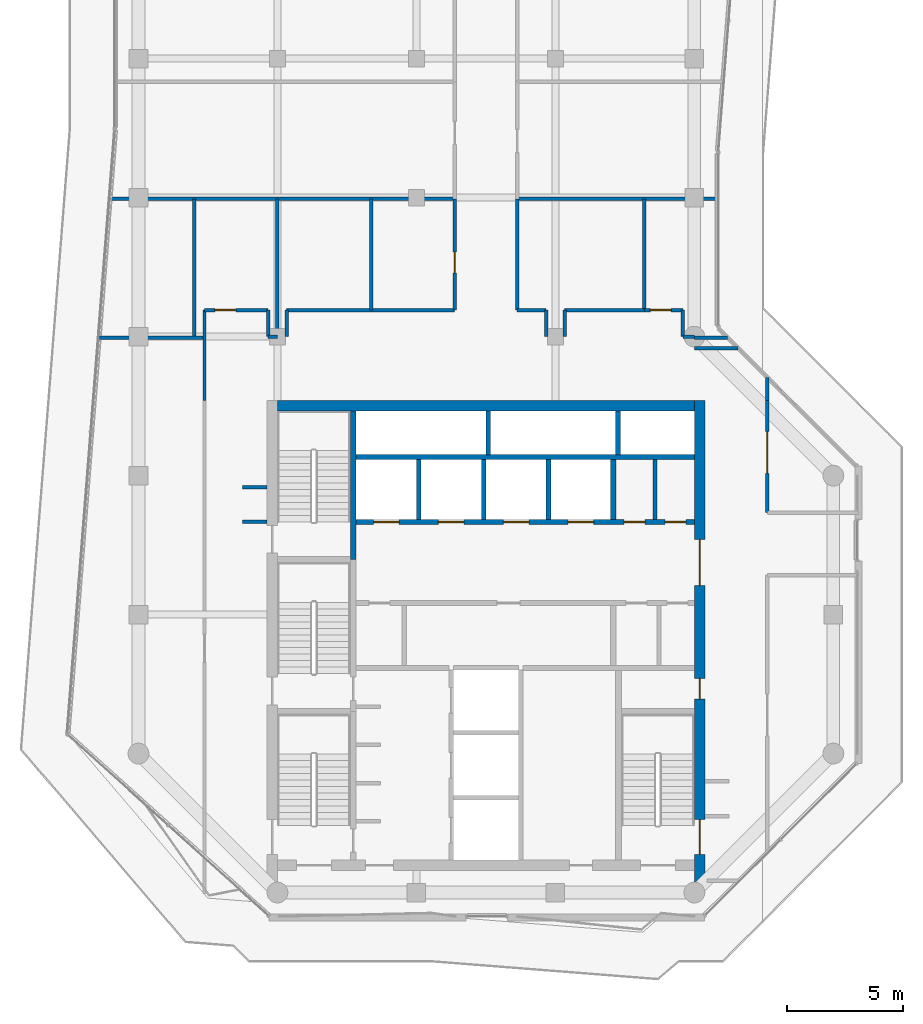
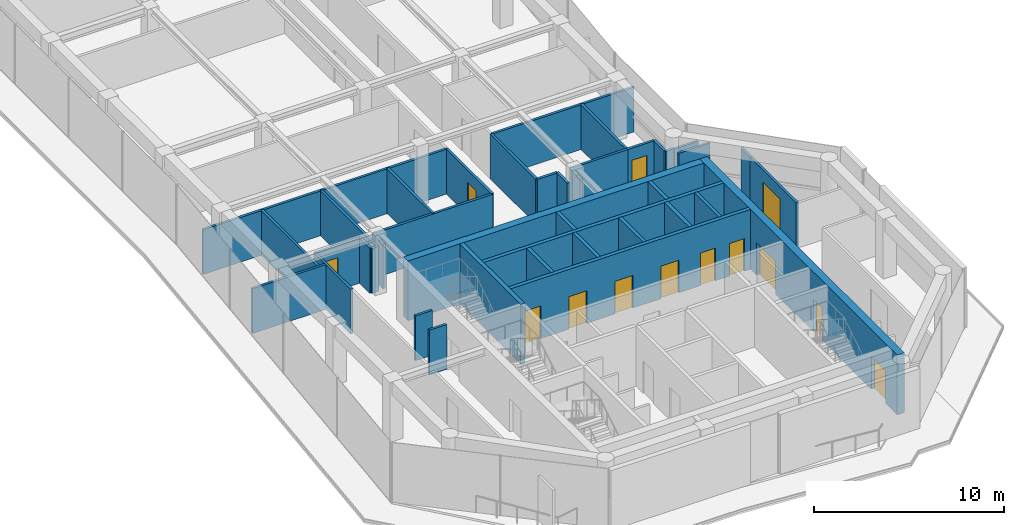
# One storey, part 20 of 23: 40 walls, 13 doors, 13 openings.
"""IFC4 building model written with IfcOpenShell, lengths in metres."""

import ifcopenshell
import ifcopenshell.guid

model = None  # the IFC model being written
_history = None  # IfcOwnerHistory: only IFC2X3 demands one
_inside = {}  # id of a spatial element -> (the spatial element, [elements in it])
_under = {}  # id of a project, library or spatial element -> (it, [spatial elements below it])
_declared = {}  # id of a project -> (the project, [libraries it declares])
_typed = {}  # id of a type object -> (the type object, [elements of that type])
_made_of = {}  # id of a material, layer set ... -> (it, [elements and type objects made of it])


def new_model(schema):
    """Start an empty IFC model of exactly this schema.

    Asked for "IFC4X3", IfcOpenShell would pick the latest addendum, in which some entities
    have other attributes; the version numbers below select the first issue.
    IFC2X3 requires an IfcOwnerHistory on every rooted entity: one is made here for all.
    """
    global model, _history
    if schema == "IFC4X3":
        model = ifcopenshell.file(schema_version=(4, 3, 0, 0))
    else:
        model = ifcopenshell.file(schema=schema)
    _inside.clear()
    _under.clear()
    _declared.clear()
    _typed.clear()
    _made_of.clear()
    _history = None
    if model.schema == "IFC2X3":
        org = make("IfcOrganization", Name="unknown")
        user = make(
            "IfcPersonAndOrganization",
            ThePerson=make("IfcPerson", FamilyName="unknown"),
            TheOrganization=org,
        )
        app = make(
            "IfcApplication",
            ApplicationDeveloper=org,
            Version="unknown",
            ApplicationFullName="unknown",
            ApplicationIdentifier="unknown",
        )
        _history = make(
            "IfcOwnerHistory",
            OwningUser=user,
            OwningApplication=app,
            ChangeAction="ADDED",
            CreationDate=0,
        )
    return model


def make(cls, **values):
    """One entity of the class cls with the attributes given. An attribute that is None is left unset."""
    return model.create_entity(
        cls, **{name: value for name, value in values.items() if value is not None}
    )


def rooted(cls, **values):
    """An entity with a GlobalId (a new one), such as an element, a storey or a relation."""
    return make(cls, GlobalId=ifcopenshell.guid.new(), OwnerHistory=_history, **values)


def si_unit(unit_type, name, prefix=None):
    """IfcSIUnit, for example si_unit("LENGTHUNIT", "METRE", prefix="MILLI")."""
    return make("IfcSIUnit", UnitType=unit_type, Prefix=prefix, Name=name)


def assignment(units):
    """IfcUnitAssignment: the units of a project."""
    return None if units is None else make("IfcUnitAssignment", Units=units)


def point(xyz):
    """IfcCartesianPoint."""
    return None if xyz is None else make("IfcCartesianPoint", Coordinates=xyz)


def direction(xyz):
    """IfcDirection."""
    return None if xyz is None else make("IfcDirection", DirectionRatios=xyz)


def frame(location, z_axis=None, x_axis=None):
    """IfcAxis2Placement3D, a coordinate frame: its origin and axes. An axis left out is left unset."""
    return make(
        "IfcAxis2Placement3D",
        Location=point(location),
        Axis=direction(z_axis),
        RefDirection=direction(x_axis),
    )


def frame_2d(location, x_axis=None):
    """IfcAxis2Placement2D, a coordinate frame in the plane: its origin and x axis."""
    return make(
        "IfcAxis2Placement2D", Location=point(location), RefDirection=direction(x_axis)
    )


def origin():
    """The frame at (0, 0, 0) with its axes left unset."""
    return frame((0.0, 0.0, 0.0))


def place(relative_to, where):
    """IfcLocalPlacement: puts the frame where relative to a parent placement (None: the world)."""
    return make(
        "IfcLocalPlacement", PlacementRelTo=relative_to, RelativePlacement=where
    )


def context(
    kind, dimensions, precision=None, world=None, true_north=None, identifier=None
):
    """IfcGeometricRepresentationContext, for example the 3D "Model" context."""
    return make(
        "IfcGeometricRepresentationContext",
        ContextIdentifier=identifier,
        ContextType=kind,
        CoordinateSpaceDimension=dimensions,
        Precision=precision,
        WorldCoordinateSystem=world,
        TrueNorth=true_north,
    )


def subcontext(parent, identifier, kind, view, scale=None):
    """IfcGeometricRepresentationSubContext, for example "Body" below "Model"."""
    return make(
        "IfcGeometricRepresentationSubContext",
        ContextIdentifier=identifier,
        ContextType=kind,
        ParentContext=parent,
        TargetScale=scale,
        TargetView=view,
    )


def project(units=None, contexts=None):
    """IfcProject with its units and contexts."""
    return rooted(
        "IfcProject",
        Name="project",
        RepresentationContexts=contexts,
        UnitsInContext=assignment(units),
    )


def spatial(cls, under=None, at=None, **own):
    """A site, building, storey or space (cls), placed at a placement, below another one or the project."""
    s = rooted(cls, ObjectPlacement=at, **own)
    if under is not None:
        _under.setdefault(under.id(), (under, []))[1].append(s)
    return s


def profile(cls, at=None, kind="AREA", **sizes):
    """A parametric profile (cls). Its sizes go by their IFC names, for example OverallWidth=200.0."""
    return make(cls, ProfileType=kind, Position=at, **sizes)


def rectangle(**sizes):
    """IfcRectangleProfileDef."""
    return profile("IfcRectangleProfileDef", **sizes)


def extrude(swept, where, along, depth):
    """IfcExtrudedAreaSolid: the profile swept, set in the frame where, extruded along a direction by depth."""
    return make(
        "IfcExtrudedAreaSolid",
        SweptArea=swept,
        Position=where,
        ExtrudedDirection=direction(along),
        Depth=depth,
    )


def shape(context_of_items, identifier, shape_type, items):
    """IfcShapeRepresentation: the items that make up one representation, for example the "Body"."""
    return make(
        "IfcShapeRepresentation",
        ContextOfItems=context_of_items,
        RepresentationIdentifier=identifier,
        RepresentationType=shape_type,
        Items=items,
    )


def material(Name=None, Category=None):
    """IfcMaterial."""
    return make("IfcMaterial", Name=Name, Category=Category)


def layer(
    of_material, thickness, ventilated=None, Name=None, Category=None, Priority=None
):
    """IfcMaterialLayer: one layer of a wall or slab, of a material (None: an air gap)."""
    return make(
        "IfcMaterialLayer",
        Material=of_material,
        LayerThickness=thickness,
        IsVentilated=ventilated,
        Name=Name,
        Category=Category,
        Priority=Priority,
    )


def layer_set(layers, Name=None):
    """IfcMaterialLayerSet."""
    return make("IfcMaterialLayerSet", MaterialLayers=layers, LayerSetName=Name)


def made_of(thing, what):
    """Note that an element or type object is made of a material, layer set ...; save() writes the relation."""
    if what is not None:
        _made_of.setdefault(what.id(), (what, []))[1].append(thing)
    return thing


def type_object(cls, material=None, **own):
    """A type object (cls), such as IfcWallType, which elements share."""
    return made_of(rooted(cls, **own), material)


def element(
    cls,
    number,
    at=None,
    inside=None,
    cuts=None,
    type_object=None,
    material=None,
    context=None,
    identifier="Body",
    shape_type=None,
    held_by="IfcProductDefinitionShape",
    body=None,
    shapes=None,
    **own,
):
    """One element of the class cls, such as IfcWall. Its Tag is "e" and its number.

    at: its placement. inside: the storey or other place that contains it. cuts: it is an
    opening in that element (IfcRelVoidsElement). A single representation is given by context,
    identifier, shape_type and body (its items); several are given by shapes. held_by: the class
    of the entity that holds the representations. save() writes the other relations.
    """
    e = rooted(cls, Tag="e%d" % number, ObjectPlacement=at, **own)
    if body is not None:
        shapes = [shape(context, identifier, shape_type, body)]
    if shapes is not None:
        e.Representation = make(held_by, Representations=shapes)
    if inside is not None:
        _inside.setdefault(inside.id(), (inside, []))[1].append(e)
    if cuts is not None:
        rooted(
            "IfcRelVoidsElement", RelatingBuildingElement=cuts, RelatedOpeningElement=e
        )
    if type_object is not None:
        _typed.setdefault(type_object.id(), (type_object, []))[1].append(e)
    return made_of(e, material)


def fill(opening, filler):
    """IfcRelFillsElement: the door or window that sits in an opening."""
    return rooted(
        "IfcRelFillsElement",
        RelatingOpeningElement=opening,
        RelatedBuildingElement=filler,
    )


def aggregate(whole, parts):
    """IfcRelAggregates: a whole, such as a stair, and the parts it consists of."""
    return rooted("IfcRelAggregates", RelatingObject=whole, RelatedObjects=parts)


def save(model, path):
    """Write the relations noted so far, then the file.

    IfcRelAggregates (storeys below a building ...), IfcRelContainedInSpatialStructure (elements
    in a storey), IfcRelDefinesByType, IfcRelAssociatesMaterial and IfcRelDeclares: one each for
    every whole, place, type object, material and project.
    """
    for whole, parts in _under.values():
        aggregate(whole, parts)
    for where, things in _inside.values():
        rooted(
            "IfcRelContainedInSpatialStructure",
            RelatedElements=things,
            RelatingStructure=where,
        )
    for kind, things in _typed.values():
        rooted("IfcRelDefinesByType", RelatedObjects=things, RelatingType=kind)
    for what, things in _made_of.values():
        rooted("IfcRelAssociatesMaterial", RelatedObjects=things, RelatingMaterial=what)
    for by, libraries in _declared.values():
        rooted("IfcRelDeclares", RelatingContext=by, RelatedDefinitions=libraries)
    model.write(path)


model = new_model("IFC4")

# Units and contexts
model_context = context("Model", 3, precision=1e-05, world=origin(), true_north=direction((0.0, 1.0)))
body_context = subcontext(model_context, "Body", "Model", "MODEL_VIEW")
ifc_project = project(units=[si_unit("LENGTHUNIT", "METRE"), si_unit("AREAUNIT", "SQUARE_METRE"), si_unit("VOLUMEUNIT", "CUBIC_METRE"), si_unit("PLANEANGLEUNIT", "RADIAN"), si_unit("MASSUNIT", "GRAM", prefix="KILO")], contexts=[model_context])

# Site, building, storey
site_placement = place(None, origin())
site = spatial("IfcSite", under=ifc_project, at=site_placement, CompositionType="ELEMENT")
building_placement = place(site_placement, origin())
building = spatial("IfcBuilding", under=site, at=building_placement, Name="Welwitschia Terrace Campus", CompositionType="ELEMENT")
storey_placement = place(building_placement, frame((0.0, 0.0, 247.39990234375)))
storey = spatial("IfcBuildingStorey", under=building, at=storey_placement, Name="L55", CompositionType="ELEMENT", Elevation=247.39990234375)

# Wall
ifc_material_1 = material(Name="Concrete C32/40", Category="concrete")
ifc_layer_1 = layer(ifc_material_1, 0.175048828125)
ifc_layer_set_1 = layer_set([ifc_layer_1], Name="Concrete C32/40")
wall_type_1 = type_object("IfcWallType", Name="Core partition 175 Concrete C32/40", PredefinedType="PARTITIONING", material=ifc_layer_set_1)
wall_1_placement = place(storey_placement, frame((22.300048828125, 20.10009765625, 0.0), z_axis=(0.0, 0.0, 1.0), x_axis=(0.0, 1.0, 0.0)))
element("IfcWall", 1, at=wall_1_placement, inside=storey, type_object=wall_type_1, Name="Core partition", PredefinedType="PARTITIONING", context=body_context, shape_type="SweptSolid", body=[
    extrude(rectangle(XDim=2.599853515625, YDim=0.175048828125, at=frame_2d((1.2998046875, 0.0))), origin(), (0.0, 0.0, 1.0), 3.85009765625),
])

# Wall, openings, doors
ifc_material_2 = material(Name="Concrete C32/40", Category="concrete")
ifc_layer_2 = layer(ifc_material_2, 0.22509765625)
ifc_layer_set_2 = layer_set([ifc_layer_2], Name="Concrete C32/40")
wall_type_2 = type_object("IfcWallType", Name="Core partition 225 Concrete C32/40", PredefinedType="PARTITIONING", material=ifc_layer_set_2)
wall_2_placement = place(storey_placement, frame((24.0, 20.0, 0.0), z_axis=(0.0, 0.0, 1.0), x_axis=(-1.0, 0.0, 0.0)))
wall_2 = element("IfcWall", 2, at=wall_2_placement, inside=storey, type_object=wall_type_2, Name="Shaft wall", PredefinedType="PARTITIONING", context=body_context, shape_type="SweptSolid", body=[
    extrude(rectangle(XDim=14.60009765625, YDim=0.22509765625, at=frame_2d((7.300048828125, 0.0))), origin(), (0.0, 0.0, 1.0), 3.85009765625),
])
opening_1_placement = place(wall_2_placement, frame((12.75, 0.0, 0.0)))
opening_1 = element("IfcOpeningElement", 3, at=opening_1_placement, cuts=wall_2, Name="Opening LD", PredefinedType="OPENING", context=body_context, shape_type="SweptSolid", body=[
    extrude(rectangle(XDim=1.10009765625, YDim=2.10009765625, at=frame_2d((0.550048828125, 1.050048828125))), frame((0.0, 0.12255859375, 0.0), z_axis=(0.0, -1.0, 0.0), x_axis=(1.0, 0.0, 0.0)), (0.0, 0.0, 1.0), 0.2451171875),
])
opening_2_placement = place(wall_2_placement, frame((9.949951171875, 0.0, 0.0)))
opening_2 = element("IfcOpeningElement", 4, at=opening_2_placement, cuts=wall_2, Name="Opening LD", PredefinedType="OPENING", context=body_context, shape_type="SweptSolid", body=[
    extrude(rectangle(XDim=1.10009765625, YDim=2.10009765625, at=frame_2d((0.550048828125, 1.050048828125))), frame((0.0, 0.12255859375, 0.0), z_axis=(0.0, -1.0, 0.0), x_axis=(1.0, 0.0, 0.0)), (0.0, 0.0, 1.0), 0.2451171875),
])
opening_3_placement = place(wall_2_placement, frame((7.14990234375, 0.0, 0.0)))
opening_3 = element("IfcOpeningElement", 5, at=opening_3_placement, cuts=wall_2, Name="Opening LD", PredefinedType="OPENING", context=body_context, shape_type="SweptSolid", body=[
    extrude(rectangle(XDim=1.10009765625, YDim=2.10009765625, at=frame_2d((0.550048828125, 1.050048828125))), frame((0.0, 0.12255859375, 0.0), z_axis=(0.0, -1.0, 0.0), x_axis=(1.0, 0.0, 0.0)), (0.0, 0.0, 1.0), 0.2451171875),
])
opening_4_placement = place(wall_2_placement, frame((4.35009765625, 0.0, 0.0)))
opening_4 = element("IfcOpeningElement", 6, at=opening_4_placement, cuts=wall_2, Name="Opening LD", PredefinedType="OPENING", context=body_context, shape_type="SweptSolid", body=[
    extrude(rectangle(XDim=1.10009765625, YDim=2.10009765625, at=frame_2d((0.550048828125, 1.050048828125))), frame((0.0, 0.12255859375, 0.0), z_axis=(0.0, -1.0, 0.0), x_axis=(1.0, 0.0, 0.0)), (0.0, 0.0, 1.0), 0.2451171875),
])
opening_5_placement = place(wall_2_placement, frame((2.137451171875, 0.0, 0.0)))
opening_5 = element("IfcOpeningElement", 7, at=opening_5_placement, cuts=wall_2, Name="Opening DR09", PredefinedType="OPENING", context=body_context, shape_type="SweptSolid", body=[
    extrude(rectangle(XDim=0.89990234375, YDim=2.10009765625, at=frame_2d((0.449951171875, 1.050048828125))), frame((0.0, 0.12255859375, 0.0), z_axis=(0.0, -1.0, 0.0), x_axis=(1.0, 0.0, 0.0)), (0.0, 0.0, 1.0), 0.2451171875),
])
opening_6_placement = place(wall_2_placement, frame((0.362548828125, 0.0, 0.0)))
opening_6 = element("IfcOpeningElement", 8, at=opening_6_placement, cuts=wall_2, Name="Opening DR09", PredefinedType="OPENING", context=body_context, shape_type="SweptSolid", body=[
    extrude(rectangle(XDim=0.89990234375, YDim=2.10009765625, at=frame_2d((0.449951171875, 1.050048828125))), frame((0.0, 0.12255859375, 0.0), z_axis=(0.0, -1.0, 0.0), x_axis=(1.0, 0.0, 0.0)), (0.0, 0.0, 1.0), 0.2451171875),
])
ifc_material_3 = material(Name="Steel S275", Category="steel")
door_type_1 = type_object("IfcDoorType", Name="Core door DR09", OperationType="SINGLE_SWING_LEFT", PredefinedType="DOOR", material=ifc_material_3)
door_1_placement = place(opening_5_placement, origin())
door_1 = element("IfcDoor", 9, at=door_1_placement, inside=storey, type_object=door_type_1, Name="Door EH1-D", OperationType="SINGLE_SWING_LEFT", OverallHeight=2.10009765625, OverallWidth=0.89990234375, PredefinedType="DOOR", context=body_context, shape_type="SweptSolid", body=[
    extrude(rectangle(XDim=0.89990234375, YDim=2.10009765625, at=frame_2d((0.449951171875, 1.050048828125))), frame((0.0, 0.02490234375, 0.0), z_axis=(0.0, -1.0, 0.0), x_axis=(1.0, 0.0, 0.0)), (0.0, 0.0, 1.0), 0.050048828125),
])
fill(opening_5, door_1)
door_2_placement = place(opening_6_placement, origin())
door_2 = element("IfcDoor", 10, at=door_2_placement, inside=storey, type_object=door_type_1, Name="Door EH2-D", OperationType="SINGLE_SWING_LEFT", OverallHeight=2.10009765625, OverallWidth=0.89990234375, PredefinedType="DOOR", context=body_context, shape_type="SweptSolid", body=[
    extrude(rectangle(XDim=0.89990234375, YDim=2.10009765625, at=frame_2d((0.449951171875, 1.050048828125))), frame((0.0, 0.02490234375, 0.0), z_axis=(0.0, -1.0, 0.0), x_axis=(1.0, 0.0, 0.0)), (0.0, 0.0, 1.0), 0.050048828125),
])
fill(opening_6, door_2)
ifc_material_4 = material(Name="Stainless steel 304", Category="steel")
door_type_2 = type_object("IfcDoorType", Name="Lift landing door", OperationType="DOUBLE_DOOR_SLIDING", PredefinedType="DOOR", material=ifc_material_4)
door_3_placement = place(opening_1_placement, origin())
door_3 = element("IfcDoor", 11, at=door_3_placement, inside=storey, type_object=door_type_2, Name="Landing door HR1", OperationType="DOUBLE_DOOR_SLIDING", OverallHeight=2.10009765625, OverallWidth=1.10009765625, PredefinedType="DOOR", context=body_context, shape_type="SweptSolid", body=[
    extrude(rectangle(XDim=1.10009765625, YDim=2.10009765625, at=frame_2d((0.550048828125, 1.050048828125))), frame((0.0, 0.02490234375, 0.0), z_axis=(0.0, -1.0, 0.0), x_axis=(1.0, 0.0, 0.0)), (0.0, 0.0, 1.0), 0.050048828125),
])
fill(opening_1, door_3)
door_4_placement = place(opening_2_placement, origin())
door_4 = element("IfcDoor", 12, at=door_4_placement, inside=storey, type_object=door_type_2, Name="Landing door HR2", OperationType="DOUBLE_DOOR_SLIDING", OverallHeight=2.10009765625, OverallWidth=1.10009765625, PredefinedType="DOOR", context=body_context, shape_type="SweptSolid", body=[
    extrude(rectangle(XDim=1.10009765625, YDim=2.10009765625, at=frame_2d((0.550048828125, 1.050048828125))), frame((0.0, 0.02490234375, 0.0), z_axis=(0.0, -1.0, 0.0), x_axis=(1.0, 0.0, 0.0)), (0.0, 0.0, 1.0), 0.050048828125),
])
fill(opening_2, door_4)
door_5_placement = place(opening_3_placement, origin())
door_5 = element("IfcDoor", 13, at=door_5_placement, inside=storey, type_object=door_type_2, Name="Landing door HR3", OperationType="DOUBLE_DOOR_SLIDING", OverallHeight=2.10009765625, OverallWidth=1.10009765625, PredefinedType="DOOR", context=body_context, shape_type="SweptSolid", body=[
    extrude(rectangle(XDim=1.10009765625, YDim=2.10009765625, at=frame_2d((0.550048828125, 1.050048828125))), frame((0.0, 0.02490234375, 0.0), z_axis=(0.0, -1.0, 0.0), x_axis=(1.0, 0.0, 0.0)), (0.0, 0.0, 1.0), 0.050048828125),
])
fill(opening_3, door_5)
door_6_placement = place(opening_4_placement, origin())
door_6 = element("IfcDoor", 14, at=door_6_placement, inside=storey, type_object=door_type_2, Name="Landing door HR4", OperationType="DOUBLE_DOOR_SLIDING", OverallHeight=2.10009765625, OverallWidth=1.10009765625, PredefinedType="DOOR", context=body_context, shape_type="SweptSolid", body=[
    extrude(rectangle(XDim=1.10009765625, YDim=2.10009765625, at=frame_2d((0.550048828125, 1.050048828125))), frame((0.0, 0.02490234375, 0.0), z_axis=(0.0, -1.0, 0.0), x_axis=(1.0, 0.0, 0.0)), (0.0, 0.0, 1.0), 0.050048828125),
])
fill(opening_4, door_6)

# Walls
wall_3_placement = place(storey_placement, frame((9.39990234375, 22.800048828125, 0.0), z_axis=(0.0, 0.0, 1.0), x_axis=(1.0, 0.0, 0.0)))
element("IfcWall", 15, at=wall_3_placement, inside=storey, type_object=wall_type_2, Name="Shaft wall", PredefinedType="PARTITIONING", context=body_context, shape_type="SweptSolid", body=[
    extrude(rectangle(XDim=14.60009765625, YDim=0.22509765625, at=frame_2d((7.300048828125, 0.0))), origin(), (0.0, 0.0, 1.0), 3.85009765625),
])
wall_4_placement = place(storey_placement, frame((20.5, 20.10009765625, 0.0), z_axis=(0.0, 0.0, 1.0), x_axis=(0.0, 1.0, 0.0)))
element("IfcWall", 16, at=wall_4_placement, inside=storey, type_object=wall_type_2, Name="Shaft wall", PredefinedType="PARTITIONING", context=body_context, shape_type="SweptSolid", body=[
    extrude(rectangle(XDim=2.599853515625, YDim=0.22509765625, at=frame_2d((1.2998046875, 0.0))), origin(), (0.0, 0.0, 1.0), 3.85009765625),
])
ifc_material_5 = material(Name="Concrete C50/60", Category="concrete")
ifc_layer_3 = layer(ifc_material_5, 0.199951171875)
ifc_layer_set_3 = layer_set([ifc_layer_3], Name="Concrete C50/60")
wall_type_3 = type_object("IfcWallType", Name="Core wall 200 Concrete C50/60", PredefinedType="SHEAR", material=ifc_layer_set_3)
for number, where, z_axis, x_axis, name in (
    (17, (15.10009765625, 22.89990234375, 0.0), (0.0, 0.0, 1.0), (0.0, 1.0, 0.0), "Core wall"),
    (18, (20.699951171875, 22.89990234375, 0.0), (0.0, 0.0, 1.0), (0.0, 1.0, 0.0), "Core wall"),
):
    element("IfcWall", number, at=place(storey_placement, frame(where, z_axis=z_axis, x_axis=x_axis)), inside=storey, type_object=wall_type_3, Name=name, PredefinedType="SHEAR", context=body_context, shape_type="SweptSolid", body=[
        extrude(rectangle(XDim=1.900146484375, YDim=0.199951171875, at=frame_2d((0.9501953125, 0.0))), origin(), (0.0, 0.0, 1.0), 3.85009765625),
    ])
ifc_material_6 = material(Name="Concrete C50/60", Category="concrete")
ifc_layer_4 = layer(ifc_material_6, 0.25)
ifc_layer_set_4 = layer_set([ifc_layer_4], Name="Concrete C50/60")
wall_type_4 = type_object("IfcWallType", Name="Core wall 250 Concrete C50/60", PredefinedType="SHEAR", material=ifc_layer_set_4)
wall_5_placement = place(storey_placement, frame((9.27490234375, 18.375, 0.0), z_axis=(0.0, 0.0, 1.0), x_axis=(0.0, 1.0, 0.0)))
element("IfcWall", 19, at=wall_5_placement, inside=storey, type_object=wall_type_4, Name="Core wall", PredefinedType="SHEAR", context=body_context, shape_type="SweptSolid", body=[
    extrude(rectangle(XDim=6.425048828125, YDim=0.25, at=frame_2d((3.21240234375, 0.0))), origin(), (0.0, 0.0, 1.0), 3.85009765625),
])

# Wall, openings, doors
ifc_material_7 = material(Name="Concrete C60/75", Category="concrete")
ifc_layer_5 = layer(ifc_material_7, 0.449951171875)
ifc_layer_set_5 = layer_set([ifc_layer_5], Name="Concrete C60/75")
wall_type_5 = type_object("IfcWallType", Name="Core wall 450 Concrete C60/75", PredefinedType="SHEAR", material=ifc_layer_set_5)
wall_6_placement = place(storey_placement, frame((24.22509765625, 25.25, 0.0), z_axis=(0.0, 0.0, 1.0), x_axis=(0.0, -1.0, 0.0)))
wall_6 = element("IfcWall", 20, at=wall_6_placement, inside=storey, type_object=wall_type_5, Name="Core outer wall", PredefinedType="SHEAR", context=body_context, shape_type="SweptSolid", body=[
    extrude(rectangle(XDim=20.830078125, YDim=0.449951171875, at=frame_2d((10.4150390625, 0.0))), origin(), (0.0, 0.0, 1.0), 3.85009765625),
])
opening_7_placement = place(wall_6_placement, frame((18.10009765625, 0.0, 0.0)))
opening_7 = element("IfcOpeningElement", 21, at=opening_7_placement, cuts=wall_6, Name="Opening DS15", PredefinedType="OPENING", context=body_context, shape_type="SweptSolid", body=[
    extrude(rectangle(XDim=1.5, YDim=2.10009765625, at=frame_2d((0.75, 1.050048828125))), frame((0.0, 0.23486328125, 0.0), z_axis=(0.0, -1.0, 0.0), x_axis=(1.0, 0.0, 0.0)), (0.0, 0.0, 1.0), 0.469970703125),
])
opening_8_placement = place(wall_6_placement, frame((12.0, 0.0, 0.0)))
opening_8 = element("IfcOpeningElement", 22, at=opening_8_placement, cuts=wall_6, Name="Opening DR09", PredefinedType="OPENING", context=body_context, shape_type="SweptSolid", body=[
    extrude(rectangle(XDim=0.89990234375, YDim=2.10009765625, at=frame_2d((0.449951171875, 1.050048828125))), frame((0.0, 0.23486328125, 0.0), z_axis=(0.0, -1.0, 0.0), x_axis=(1.0, 0.0, 0.0)), (0.0, 0.0, 1.0), 0.469970703125),
])
opening_9_placement = place(wall_6_placement, frame((6.0, 0.0, 0.0)))
opening_9 = element("IfcOpeningElement", 23, at=opening_9_placement, cuts=wall_6, Name="Opening DL20", PredefinedType="OPENING", context=body_context, shape_type="SweptSolid", body=[
    extrude(rectangle(XDim=2.0, YDim=2.10009765625, at=frame_2d((1.0, 1.050048828125))), frame((0.0, 0.23486328125, 0.0), z_axis=(0.0, -1.0, 0.0), x_axis=(1.0, 0.0, 0.0)), (0.0, 0.0, 1.0), 0.469970703125),
])
ifc_material_8 = material(Name="Steel S275", Category="steel")
door_type_3 = type_object("IfcDoorType", Name="Core door DL20", OperationType="DOUBLE_DOOR_SINGLE_SWING", PredefinedType="DOOR", material=ifc_material_8)
door_7_placement = place(opening_9_placement, origin())
door_7 = element("IfcDoor", 24, at=door_7_placement, inside=storey, type_object=door_type_3, Name="Door LOBBY-out", OperationType="DOUBLE_DOOR_SINGLE_SWING", OverallHeight=2.10009765625, OverallWidth=2.0, PredefinedType="DOOR", context=body_context, shape_type="SweptSolid", body=[
    extrude(rectangle(XDim=2.0, YDim=2.10009765625, at=frame_2d((1.0, 1.050048828125))), frame((0.0, 0.02490234375, 0.0), z_axis=(0.0, -1.0, 0.0), x_axis=(1.0, 0.0, 0.0)), (0.0, 0.0, 1.0), 0.050048828125),
])
fill(opening_9, door_7)
door_8_placement = place(opening_8_placement, origin())
door_8 = element("IfcDoor", 25, at=door_8_placement, inside=storey, type_object=door_type_1, Name="Door F1B-out", OperationType="SINGLE_SWING_RIGHT", OverallHeight=2.10009765625, OverallWidth=0.89990234375, PredefinedType="DOOR", context=body_context, shape_type="SweptSolid", body=[
    extrude(rectangle(XDim=0.89990234375, YDim=2.10009765625, at=frame_2d((0.449951171875, 1.050048828125))), frame((0.0, 0.02490234375, 0.0), z_axis=(0.0, -1.0, 0.0), x_axis=(1.0, 0.0, 0.0)), (0.0, 0.0, 1.0), 0.050048828125),
])
fill(opening_8, door_8)
ifc_material_9 = material(Name="Steel S275", Category="steel")
door_type_4 = type_object("IfcDoorType", Name="Core door DS15", OperationType="DOUBLE_DOOR_SINGLE_SWING", PredefinedType="DOOR", material=ifc_material_9)
door_9_placement = place(opening_7_placement, origin())
door_9 = element("IfcDoor", 26, at=door_9_placement, inside=storey, type_object=door_type_4, Name="Door S2-out", OperationType="DOUBLE_DOOR_SINGLE_SWING", OverallHeight=2.10009765625, OverallWidth=1.5, PredefinedType="DOOR", context=body_context, shape_type="SweptSolid", body=[
    extrude(rectangle(XDim=1.5, YDim=2.10009765625, at=frame_2d((0.75, 1.050048828125))), frame((0.0, 0.02490234375, 0.0), z_axis=(0.0, -1.0, 0.0), x_axis=(1.0, 0.0, 0.0)), (0.0, 0.0, 1.0), 0.050048828125),
])
fill(opening_7, door_9)

# Walls
wall_7_placement = place(storey_placement, frame((6.0, 25.02490234375, 0.0), z_axis=(0.0, 0.0, 1.0), x_axis=(1.0, 0.0, 0.0)))
element("IfcWall", 27, at=wall_7_placement, inside=storey, type_object=wall_type_5, Name="Core outer wall", PredefinedType="SHEAR", context=body_context, shape_type="SweptSolid", body=[
    extrude(rectangle(XDim=18.0, YDim=0.449951171875, at=frame_2d((9.0, 0.0))), origin(), (0.0, 0.0, 1.0), 3.85009765625),
])
ifc_material_10 = material(Name="Gypsum board on steel studs", Category="steel")
ifc_layer_6 = layer(ifc_material_10, 0.14990234375)
ifc_layer_set_6 = layer_set([ifc_layer_6], Name="Gypsum board on steel studs")
wall_type_6 = type_object("IfcWallType", Name="Corridor partition 150 EI 30", PredefinedType="PARTITIONING", material=ifc_layer_set_6)
wall_8_placement = place(storey_placement, frame((-1.68994140625, 27.949951171875, 0.0), z_axis=(0.0, 0.0, 1.0), x_axis=(1.0, 0.0, 0.0)))
element("IfcWall", 28, at=wall_8_placement, inside=storey, type_object=wall_type_6, Name="Partition", PredefinedType="PARTITIONING", context=body_context, shape_type="SweptSolid", body=[
    extrude(rectangle(XDim=4.5400390625, YDim=0.14990234375, at=frame_2d((2.27001953125, 0.0))), origin(), (0.0, 0.0, 1.0), 2.880126953125),
])
wall_9_placement = place(storey_placement, frame((-1.219970703125, 33.949951171875, 0.0), z_axis=(0.0, 0.0, 1.0), x_axis=(1.0, 0.0, 0.0)))
element("IfcWall", 29, at=wall_9_placement, inside=storey, type_object=wall_type_6, Name="Partition", PredefinedType="PARTITIONING", context=body_context, shape_type="SweptSolid", body=[
    extrude(rectangle(XDim=14.869873046875, YDim=0.14990234375, at=frame_2d((7.43505859375, 0.0))), origin(), (0.0, 0.0, 1.0), 2.880126953125),
])
wall_10_placement = place(storey_placement, frame((2.39990234375, 27.949951171875, 0.0), z_axis=(0.0, 0.0, 1.0), x_axis=(0.0, 1.0, 0.0)))
element("IfcWall", 30, at=wall_10_placement, inside=storey, type_object=wall_type_6, Name="Partition", PredefinedType="PARTITIONING", context=body_context, shape_type="SweptSolid", body=[
    extrude(rectangle(XDim=6.0, YDim=0.14990234375, at=frame_2d((3.0, 0.0))), origin(), (0.0, 0.0, 1.0), 2.880126953125),
])
wall_11_placement = place(storey_placement, frame((2.85009765625, 25.25, 0.0), z_axis=(0.0, 0.0, 1.0), x_axis=(0.0, 1.0, 0.0)))
element("IfcWall", 31, at=wall_11_placement, inside=storey, type_object=wall_type_6, Name="Partition", PredefinedType="PARTITIONING", context=body_context, shape_type="SweptSolid", body=[
    extrude(rectangle(XDim=3.89990234375, YDim=0.14990234375, at=frame_2d((1.949951171875, 0.0))), origin(), (0.0, 0.0, 1.0), 2.880126953125),
])

# Wall, opening, door
wall_12_placement = place(storey_placement, frame((2.85009765625, 29.14990234375, 0.0), z_axis=(0.0, 0.0, 1.0), x_axis=(1.0, 0.0, 0.0)))
wall_12 = element("IfcWall", 32, at=wall_12_placement, inside=storey, type_object=wall_type_6, Name="Partition", PredefinedType="PARTITIONING", context=body_context, shape_type="SweptSolid", body=[
    extrude(rectangle(XDim=2.75, YDim=0.14990234375, at=frame_2d((1.375, 0.0))), origin(), (0.0, 0.0, 1.0), 2.880126953125),
])
opening_10_placement = place(wall_12_placement, frame((0.449951171875, 0.0, 0.0)))
opening_10 = element("IfcOpeningElement", 33, at=opening_10_placement, cuts=wall_12, Name="Opening DI09", PredefinedType="OPENING", context=body_context, shape_type="SweptSolid", body=[
    extrude(rectangle(XDim=0.89990234375, YDim=2.10009765625, at=frame_2d((0.449951171875, 1.050048828125))), frame((0.0, 0.0849609375, 0.0), z_axis=(0.0, -1.0, 0.0), x_axis=(1.0, 0.0, 0.0)), (0.0, 0.0, 1.0), 0.169921875),
])
ifc_material_11 = material(Name="Timber veneered door", Category="wood")
door_type_5 = type_object("IfcDoorType", Name="Interior door DI09", OperationType="NOTDEFINED", PredefinedType="DOOR", material=ifc_material_11)
door_10_placement = place(opening_10_placement, origin())
door_10 = element("IfcDoor", 34, at=door_10_placement, inside=storey, type_object=door_type_5, Name="Door L55 1003", OperationType="SINGLE_SWING_RIGHT", OverallHeight=2.10009765625, OverallWidth=0.89990234375, PredefinedType="DOOR", context=body_context, shape_type="SweptSolid", body=[
    extrude(rectangle(XDim=0.89990234375, YDim=2.10009765625, at=frame_2d((0.449951171875, 1.050048828125))), frame((0.0, 0.02490234375, 0.0), z_axis=(0.0, -1.0, 0.0), x_axis=(1.0, 0.0, 0.0)), (0.0, 0.0, 1.0), 0.050048828125),
])
fill(opening_10, door_10)

# Walls
for number, where, z_axis, x_axis, name in (
    (35, (4.5, 20.0, 0.0), (0.0, 0.0, 1.0), (1.0, 0.0, 0.0), "Partition"),
    (36, (4.5, 21.5, 0.0), (0.0, 0.0, 1.0), (1.0, 0.0, 0.0), "Partition"),
):
    element("IfcWall", number, at=place(storey_placement, frame(where, z_axis=z_axis, x_axis=x_axis)), inside=storey, type_object=wall_type_6, Name=name, PredefinedType="PARTITIONING", context=body_context, shape_type="SweptSolid", body=[
        extrude(rectangle(XDim=1.050048828125, YDim=0.14990234375, at=frame_2d((0.52490234375, 0.0))), origin(), (0.0, 0.0, 1.0), 2.880126953125),
    ])
wall_13_placement = place(storey_placement, frame((5.60009765625, 28.0, 0.0), z_axis=(0.0, 0.0, 1.0), x_axis=(0.0, 1.0, 0.0)))
element("IfcWall", 37, at=wall_13_placement, inside=storey, type_object=wall_type_6, Name="Partition", PredefinedType="PARTITIONING", context=body_context, shape_type="SweptSolid", body=[
    extrude(rectangle(XDim=1.14990234375, YDim=0.14990234375, at=frame_2d((0.574951171875, 0.0))), origin(), (0.0, 0.0, 1.0), 2.880126953125),
])
wall_14_placement = place(storey_placement, frame((5.60009765625, 28.0, 0.0), z_axis=(0.0, 0.0, 1.0), x_axis=(1.0, 0.0, 0.0)))
element("IfcWall", 38, at=wall_14_placement, inside=storey, type_object=wall_type_6, Name="Partition", PredefinedType="PARTITIONING", context=body_context, shape_type="SweptSolid", body=[
    extrude(rectangle(XDim=0.39990234375, YDim=0.14990234375, at=frame_2d((0.199951171875, 0.0))), origin(), (0.0, 0.0, 1.0), 2.880126953125),
])
wall_15_placement = place(storey_placement, frame((6.0, 28.0, 0.0), z_axis=(0.0, 0.0, 1.0), x_axis=(0.0, 1.0, 0.0)))
element("IfcWall", 39, at=wall_15_placement, inside=storey, type_object=wall_type_6, Name="Partition", PredefinedType="PARTITIONING", context=body_context, shape_type="SweptSolid", body=[
    extrude(rectangle(XDim=5.949951171875, YDim=0.14990234375, at=frame_2d((2.97509765625, 0.0))), origin(), (0.0, 0.0, 1.0), 2.880126953125),
])
wall_16_placement = place(storey_placement, frame((6.39990234375, 28.0, 0.0), z_axis=(0.0, 0.0, 1.0), x_axis=(0.0, 1.0, 0.0)))
element("IfcWall", 40, at=wall_16_placement, inside=storey, type_object=wall_type_6, Name="Partition", PredefinedType="PARTITIONING", context=body_context, shape_type="SweptSolid", body=[
    extrude(rectangle(XDim=1.14990234375, YDim=0.14990234375, at=frame_2d((0.574951171875, 0.0))), origin(), (0.0, 0.0, 1.0), 2.880126953125),
])
wall_17_placement = place(storey_placement, frame((6.39990234375, 29.14990234375, 0.0), z_axis=(0.0, 0.0, 1.0), x_axis=(1.0, 0.0, 0.0)))
element("IfcWall", 41, at=wall_17_placement, inside=storey, type_object=wall_type_6, Name="Partition", PredefinedType="PARTITIONING", context=body_context, shape_type="SweptSolid", body=[
    extrude(rectangle(XDim=7.25, YDim=0.14990234375, at=frame_2d((3.625, 0.0))), origin(), (0.0, 0.0, 1.0), 2.880126953125),
])
wall_18_placement = place(storey_placement, frame((10.050048828125, 29.14990234375, 0.0), z_axis=(0.0, 0.0, 1.0), x_axis=(0.0, 1.0, 0.0)))
element("IfcWall", 42, at=wall_18_placement, inside=storey, type_object=wall_type_6, Name="Partition", PredefinedType="PARTITIONING", context=body_context, shape_type="SweptSolid", body=[
    extrude(rectangle(XDim=4.800048828125, YDim=0.14990234375, at=frame_2d((2.39990234375, 0.0))), origin(), (0.0, 0.0, 1.0), 2.880126953125),
])

# Wall, opening, door
wall_19_placement = place(storey_placement, frame((13.64990234375, 29.14990234375, 0.0), z_axis=(0.0, 0.0, 1.0), x_axis=(0.0, 1.0, 0.0)))
wall_19 = element("IfcWall", 43, at=wall_19_placement, inside=storey, type_object=wall_type_6, Name="Partition", PredefinedType="PARTITIONING", context=body_context, shape_type="SweptSolid", body=[
    extrude(rectangle(XDim=4.800048828125, YDim=0.14990234375, at=frame_2d((2.39990234375, 0.0))), origin(), (0.0, 0.0, 1.0), 2.880126953125),
])
opening_11_placement = place(wall_19_placement, frame((1.60009765625, 0.0, 0.0)))
opening_11 = element("IfcOpeningElement", 44, at=opening_11_placement, cuts=wall_19, Name="Opening DI09", PredefinedType="OPENING", context=body_context, shape_type="SweptSolid", body=[
    extrude(rectangle(XDim=0.89990234375, YDim=2.10009765625, at=frame_2d((0.449951171875, 1.050048828125))), frame((0.0, 0.0849609375, 0.0), z_axis=(0.0, -1.0, 0.0), x_axis=(1.0, 0.0, 0.0)), (0.0, 0.0, 1.0), 0.169921875),
])
door_11_placement = place(opening_11_placement, origin())
door_11 = element("IfcDoor", 45, at=door_11_placement, inside=storey, type_object=door_type_5, Name="Door L55 1004", OperationType="SINGLE_SWING_LEFT", OverallHeight=2.10009765625, OverallWidth=0.89990234375, PredefinedType="DOOR", context=body_context, shape_type="SweptSolid", body=[
    extrude(rectangle(XDim=0.89990234375, YDim=2.10009765625, at=frame_2d((0.449951171875, 1.050048828125))), frame((0.0, 0.02490234375, 0.0), z_axis=(0.0, -1.0, 0.0), x_axis=(1.0, 0.0, 0.0)), (0.0, 0.0, 1.0), 0.050048828125),
])
fill(opening_11, door_11)

# Walls
wall_20_placement = place(storey_placement, frame((16.35009765625, 29.14990234375, 0.0), z_axis=(0.0, 0.0, 1.0), x_axis=(0.0, 1.0, 0.0)))
element("IfcWall", 46, at=wall_20_placement, inside=storey, type_object=wall_type_6, Name="Partition", PredefinedType="PARTITIONING", context=body_context, shape_type="SweptSolid", body=[
    extrude(rectangle(XDim=4.800048828125, YDim=0.14990234375, at=frame_2d((2.39990234375, 0.0))), origin(), (0.0, 0.0, 1.0), 2.880126953125),
])
wall_21_placement = place(storey_placement, frame((16.35009765625, 29.14990234375, 0.0), z_axis=(0.0, 0.0, 1.0), x_axis=(1.0, 0.0, 0.0)))
element("IfcWall", 47, at=wall_21_placement, inside=storey, type_object=wall_type_6, Name="Partition", PredefinedType="PARTITIONING", context=body_context, shape_type="SweptSolid", body=[
    extrude(rectangle(XDim=1.25, YDim=0.14990234375, at=frame_2d((0.625, 0.0))), origin(), (0.0, 0.0, 1.0), 2.880126953125),
])
wall_22_placement = place(storey_placement, frame((16.35009765625, 33.949951171875, 0.0), z_axis=(0.0, 0.0, 1.0), x_axis=(1.0, 0.0, 0.0)))
element("IfcWall", 48, at=wall_22_placement, inside=storey, type_object=wall_type_6, Name="Partition", PredefinedType="PARTITIONING", context=body_context, shape_type="SweptSolid", body=[
    extrude(rectangle(XDim=8.6298828125, YDim=0.14990234375, at=frame_2d((4.31494140625, 0.0))), origin(), (0.0, 0.0, 1.0), 2.880126953125),
])
for number, where, z_axis, x_axis, name in (
    (49, (17.60009765625, 28.0, 0.0), (0.0, 0.0, 1.0), (0.0, 1.0, 0.0), "Partition"),
    (50, (18.39990234375, 28.0, 0.0), (0.0, 0.0, 1.0), (0.0, 1.0, 0.0), "Partition"),
):
    element("IfcWall", number, at=place(storey_placement, frame(where, z_axis=z_axis, x_axis=x_axis)), inside=storey, type_object=wall_type_6, Name=name, PredefinedType="PARTITIONING", context=body_context, shape_type="SweptSolid", body=[
        extrude(rectangle(XDim=1.14990234375, YDim=0.14990234375, at=frame_2d((0.574951171875, 0.0))), origin(), (0.0, 0.0, 1.0), 2.880126953125),
    ])
wall_23_placement = place(storey_placement, frame((18.39990234375, 29.14990234375, 0.0), z_axis=(0.0, 0.0, 1.0), x_axis=(1.0, 0.0, 0.0)))
element("IfcWall", 51, at=wall_23_placement, inside=storey, type_object=wall_type_6, Name="Partition", PredefinedType="PARTITIONING", context=body_context, shape_type="SweptSolid", body=[
    extrude(rectangle(XDim=3.440185546875, YDim=0.14990234375, at=frame_2d((1.72021484375, 0.0))), origin(), (0.0, 0.0, 1.0), 2.880126953125),
])
wall_24_placement = place(storey_placement, frame((21.840087890625, 29.14990234375, 0.0), z_axis=(0.0, 0.0, 1.0), x_axis=(0.0, 1.0, 0.0)))
element("IfcWall", 52, at=wall_24_placement, inside=storey, type_object=wall_type_6, Name="Partition", PredefinedType="PARTITIONING", context=body_context, shape_type="SweptSolid", body=[
    extrude(rectangle(XDim=4.800048828125, YDim=0.14990234375, at=frame_2d((2.39990234375, 0.0))), origin(), (0.0, 0.0, 1.0), 2.880126953125),
])

# Wall, opening, door
wall_25_placement = place(storey_placement, frame((21.840087890625, 29.14990234375, 0.0), z_axis=(0.0, 0.0, 1.0), x_axis=(1.0, 0.0, 0.0)))
wall_25 = element("IfcWall", 53, at=wall_25_placement, inside=storey, type_object=wall_type_6, Name="Partition", PredefinedType="PARTITIONING", context=body_context, shape_type="SweptSolid", body=[
    extrude(rectangle(XDim=1.659912109375, YDim=0.14990234375, at=frame_2d((0.830078125, 0.0))), origin(), (0.0, 0.0, 1.0), 2.880126953125),
])
opening_12_placement = place(wall_25_placement, frame((0.260009765625, 0.0, 0.0)))
opening_12 = element("IfcOpeningElement", 54, at=opening_12_placement, cuts=wall_25, Name="Opening DI09", PredefinedType="OPENING", context=body_context, shape_type="SweptSolid", body=[
    extrude(rectangle(XDim=0.89990234375, YDim=2.10009765625, at=frame_2d((0.449951171875, 1.050048828125))), frame((0.0, 0.0849609375, 0.0), z_axis=(0.0, -1.0, 0.0), x_axis=(1.0, 0.0, 0.0)), (0.0, 0.0, 1.0), 0.169921875),
])
door_12_placement = place(opening_12_placement, origin())
door_12 = element("IfcDoor", 55, at=door_12_placement, inside=storey, type_object=door_type_5, Name="Door L55 1014", OperationType="SINGLE_SWING_LEFT", OverallHeight=2.10009765625, OverallWidth=0.89990234375, PredefinedType="DOOR", context=body_context, shape_type="SweptSolid", body=[
    extrude(rectangle(XDim=0.89990234375, YDim=2.10009765625, at=frame_2d((0.449951171875, 1.050048828125))), frame((0.0, 0.02490234375, 0.0), z_axis=(0.0, -1.0, 0.0), x_axis=(1.0, 0.0, 0.0)), (0.0, 0.0, 1.0), 0.050048828125),
])
fill(opening_12, door_12)

# Walls
wall_26_placement = place(storey_placement, frame((23.5, 28.0, 0.0), z_axis=(0.0, 0.0, 1.0), x_axis=(0.0, 1.0, 0.0)))
element("IfcWall", 56, at=wall_26_placement, inside=storey, type_object=wall_type_6, Name="Partition", PredefinedType="PARTITIONING", context=body_context, shape_type="SweptSolid", body=[
    extrude(rectangle(XDim=1.14990234375, YDim=0.14990234375, at=frame_2d((0.574951171875, 0.0))), origin(), (0.0, 0.0, 1.0), 2.880126953125),
])
wall_27_placement = place(storey_placement, frame((23.5, 28.0, 0.0), z_axis=(0.0, 0.0, 1.0), x_axis=(1.0, 0.0, 0.0)))
element("IfcWall", 57, at=wall_27_placement, inside=storey, type_object=wall_type_6, Name="Partition", PredefinedType="PARTITIONING", context=body_context, shape_type="SweptSolid", body=[
    extrude(rectangle(XDim=0.5, YDim=0.14990234375, at=frame_2d((0.25, 0.0))), origin(), (0.0, 0.0, 1.0), 2.880126953125),
])
wall_28_placement = place(storey_placement, frame((24.0, 27.5, 0.0), z_axis=(0.0, 0.0, 1.0), x_axis=(1.0, 0.0, 0.0)))
element("IfcWall", 58, at=wall_28_placement, inside=storey, type_object=wall_type_6, Name="Partition", PredefinedType="PARTITIONING", context=body_context, shape_type="SweptSolid", body=[
    extrude(rectangle(XDim=1.889892578125, YDim=0.14990234375, at=frame_2d((0.94482421875, 0.0))), origin(), (0.0, 0.0, 1.0), 2.880126953125),
])
wall_29_placement = place(storey_placement, frame((24.0, 27.949951171875, 0.0), z_axis=(0.0, 0.0, 1.0), x_axis=(1.0, 0.0, 0.0)))
element("IfcWall", 59, at=wall_29_placement, inside=storey, type_object=wall_type_6, Name="Partition", PredefinedType="PARTITIONING", context=body_context, shape_type="SweptSolid", body=[
    extrude(rectangle(XDim=1.43994140625, YDim=0.14990234375, at=frame_2d((0.719970703125, 0.0))), origin(), (0.0, 0.0, 1.0), 2.880126953125),
])

# Wall, opening, door
wall_30_placement = place(storey_placement, frame((27.14990234375, 20.39990234375, 0.0), z_axis=(0.0, 0.0, 1.0), x_axis=(0.0, 1.0, 0.0)))
wall_30 = element("IfcWall", 60, at=wall_30_placement, inside=storey, type_object=wall_type_6, Name="Partition", PredefinedType="PARTITIONING", context=body_context, shape_type="SweptSolid", body=[
    extrude(rectangle(XDim=4.85009765625, YDim=0.14990234375, at=frame_2d((2.425048828125, 0.0))), origin(), (0.0, 0.0, 1.0), 2.880126953125),
])
opening_13_placement = place(wall_30_placement, frame((1.699951171875, 0.0, 0.0)))
opening_13 = element("IfcOpeningElement", 61, at=opening_13_placement, cuts=wall_30, Name="Opening DI18", PredefinedType="OPENING", context=body_context, shape_type="SweptSolid", body=[
    extrude(rectangle(XDim=1.800048828125, YDim=2.10009765625, at=frame_2d((0.89990234375, 1.050048828125))), frame((0.0, 0.0849609375, 0.0), z_axis=(0.0, -1.0, 0.0), x_axis=(1.0, 0.0, 0.0)), (0.0, 0.0, 1.0), 0.169921875),
])
ifc_material_12 = material(Name="Timber veneered door", Category="wood")
door_type_6 = type_object("IfcDoorType", Name="Interior door DI18", OperationType="DOUBLE_DOOR_SINGLE_SWING", PredefinedType="DOOR", material=ifc_material_12)
door_13_placement = place(opening_13_placement, origin())
door_13 = element("IfcDoor", 62, at=door_13_placement, inside=storey, type_object=door_type_6, Name="Door L55 1016", OperationType="SINGLE_SWING_LEFT", OverallHeight=2.10009765625, OverallWidth=1.800048828125, PredefinedType="DOOR", context=body_context, shape_type="SweptSolid", body=[
    extrude(rectangle(XDim=1.800048828125, YDim=2.10009765625, at=frame_2d((0.89990234375, 1.050048828125))), frame((0.0, 0.02490234375, 0.0), z_axis=(0.0, -1.0, 0.0), x_axis=(1.0, 0.0, 0.0)), (0.0, 0.0, 1.0), 0.050048828125),
])
fill(opening_13, door_13)

# Walls
wall_31_placement = place(storey_placement, frame((27.14990234375, 25.25, 0.0), z_axis=(0.0, 0.0, 1.0), x_axis=(0.0, 1.0, 0.0)))
element("IfcWall", 63, at=wall_31_placement, inside=storey, type_object=wall_type_6, Name="Partition", PredefinedType="PARTITIONING", context=body_context, shape_type="SweptSolid", body=[
    extrude(rectangle(XDim=0.97998046875, YDim=0.14990234375, at=frame_2d((0.489990234375, 0.0))), origin(), (0.0, 0.0, 1.0), 2.880126953125),
])
ifc_material_13 = material(Name="Concrete C32/40", Category="concrete")
ifc_layer_7 = layer(ifc_material_13, 0.199951171875)
ifc_layer_set_7 = layer_set([ifc_layer_7], Name="Concrete C32/40")
wall_type_7 = type_object("IfcWallType", Name="Shaft wall 200 Concrete C32/40", PredefinedType="SOLIDWALL", material=ifc_layer_set_7)
for number, where, z_axis, x_axis, name in (
    (64, (12.10009765625, 20.10009765625, 0.0), (0.0, 0.0, 1.0), (0.0, 1.0, 0.0), "Shaft wall"),
    (65, (14.89990234375, 20.10009765625, 0.0), (0.0, 0.0, 1.0), (0.0, 1.0, 0.0), "Shaft wall"),
    (66, (17.699951171875, 20.10009765625, 0.0), (0.0, 0.0, 1.0), (0.0, 1.0, 0.0), "Shaft wall"),
):
    element("IfcWall", number, at=place(storey_placement, frame(where, z_axis=z_axis, x_axis=x_axis)), inside=storey, type_object=wall_type_7, Name=name, PredefinedType="SOLIDWALL", context=body_context, shape_type="SweptSolid", body=[
        extrude(rectangle(XDim=2.599853515625, YDim=0.199951171875, at=frame_2d((1.2998046875, 0.0))), origin(), (0.0, 0.0, 1.0), 3.85009765625),
    ])

save(model, "model.ifc")
